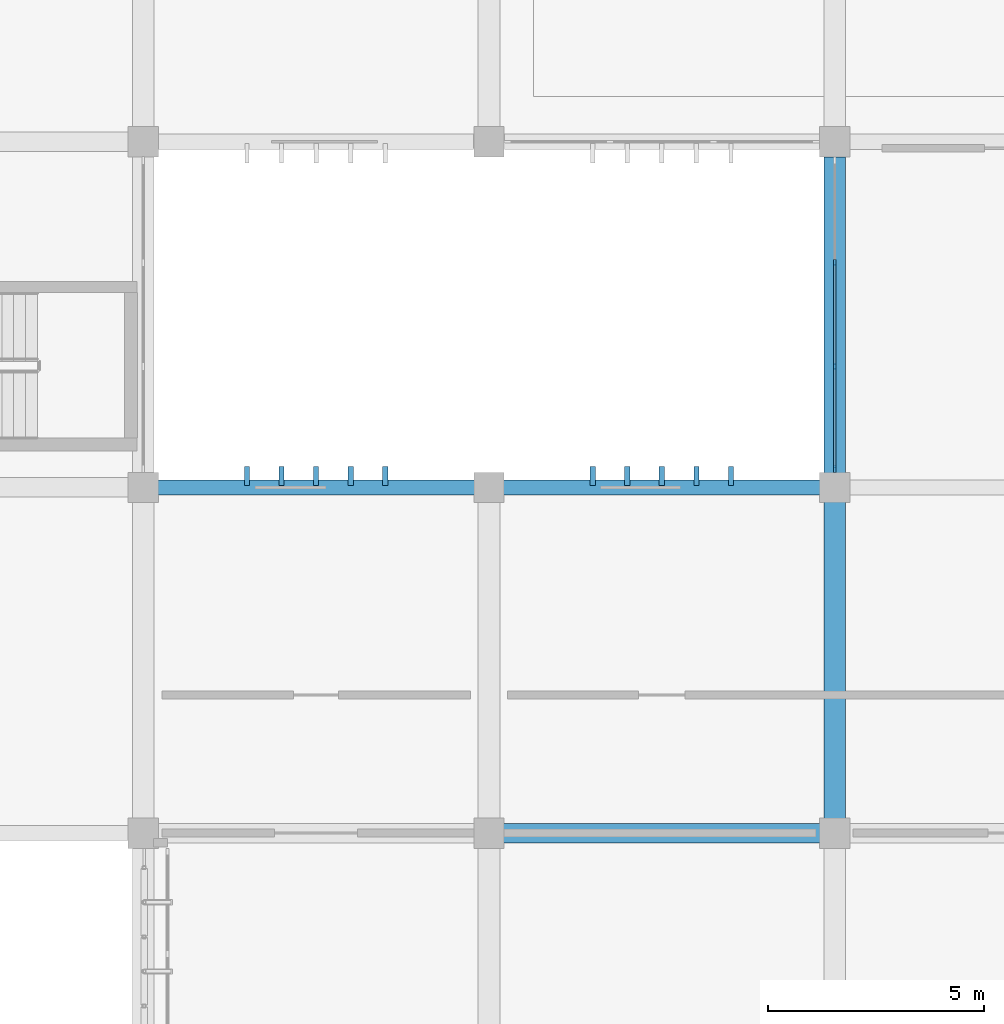
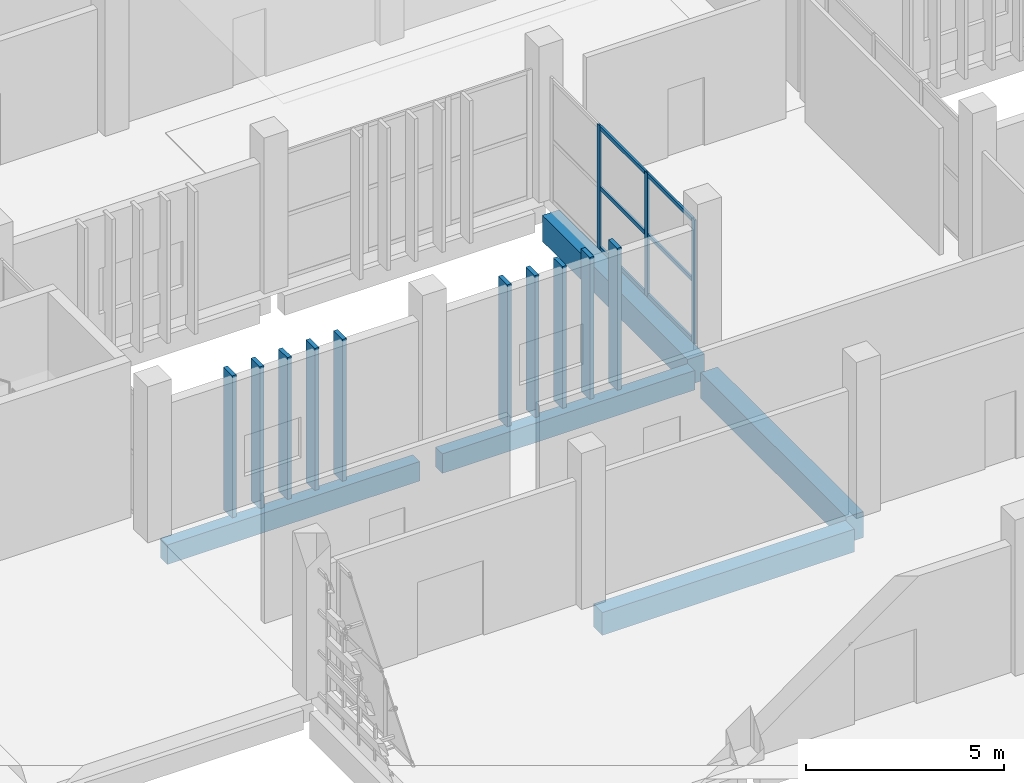
# One storey, part 29 of 117: 19 members, 5 beams, 1 element without a shape of its own.
"""IFC4 building model written with IfcOpenShell, lengths in metres."""

from ifc_helpers import new_model, si_unit, direction, frame, origin, origin_2d, place, context, subcontext, project, spatial, rectangle, extrude, material, layer, layer_set, material_profile, profile_set, type_object, element, aggregate, save


model = new_model("IFC4")

# Units and contexts
model_context = context("Model", 3, precision=1e-05, world=origin(), true_north=direction((0.0, 1.0)))
body_context = subcontext(model_context, "Body", "Model", "MODEL_VIEW")
ifc_project = project(units=[si_unit("LENGTHUNIT", "METRE"), si_unit("AREAUNIT", "SQUARE_METRE"), si_unit("VOLUMEUNIT", "CUBIC_METRE"), si_unit("PLANEANGLEUNIT", "RADIAN"), si_unit("MASSUNIT", "GRAM", prefix="KILO")], contexts=[model_context])

# Site, building, storey
site_placement = place(None, origin())
site = spatial("IfcSite", under=ifc_project, at=site_placement, CompositionType="ELEMENT")
building_placement = place(site_placement, origin())
building = spatial("IfcBuilding", under=site, at=building_placement, Name="Jelvoka-Kovrelna Polytechnic", CompositionType="ELEMENT")
storey_placement = place(building_placement, origin())
storey = spatial("IfcBuildingStorey", under=building, at=storey_placement, Name="L01", CompositionType="ELEMENT", Elevation=0.0)

# Beams
ifc_material_1 = material(Name="Concrete C40/50", Category="concrete")
ifc_material_profile_1 = material_profile(ifc_material_1, rectangle(XDim=0.449951171875, YDim=0.699951171875, at=origin_2d()), Name="RC 450x700")
ifc_profile_set_1 = profile_set([ifc_material_profile_1], Name="Concrete C40/50")
beam_type_1 = type_object("IfcBeamType", Name="Beam_RC_450x700", PredefinedType="BEAM", material=ifc_profile_set_1)
beam_1_placement = place(storey_placement, frame((64.330078125, 16.0, -0.7548828125), z_axis=(1.0, 0.0, 0.0), x_axis=(0.0, 1.0, 0.0)))
element("IfcBeam", 1, at=beam_1_placement, inside=storey, type_object=beam_type_1, Name="L01 beam 0310", PredefinedType="BEAM", context=body_context, shape_type="SweptSolid", body=[
    extrude(rectangle(XDim=0.449951171875, YDim=0.699951171875, at=origin_2d()), origin(), (0.0, 0.0, 1.0), 7.33984375),
])
ifc_material_2 = material(Name="Concrete C40/50", Category="concrete")
ifc_material_profile_2 = material_profile(ifc_material_2, rectangle(XDim=0.5, YDim=0.800048828125, at=origin_2d()), Name="RC 500x800")
ifc_profile_set_2 = profile_set([ifc_material_profile_2], Name="Concrete C40/50")
beam_type_2 = type_object("IfcBeamType", Name="Beam_RC_500x800", PredefinedType="BEAM", material=ifc_profile_set_2)
beam_2_placement = place(storey_placement, frame((72.0, 16.330078125, -0.804931640625), z_axis=(0.0, 1.0, 0.0), x_axis=(-1.0, 0.0, 0.0)))
element("IfcBeam", 2, at=beam_2_placement, inside=storey, type_object=beam_type_2, Name="L01 beam 0327", PredefinedType="BEAM", context=body_context, shape_type="SweptSolid", body=[
    extrude(rectangle(XDim=0.5, YDim=0.800048828125, at=origin_2d()), origin(), (0.0, 0.0, 1.0), 7.33984375),
])
beam_3_placement = place(storey_placement, frame((72.0, 24.330078125, -0.804931640625), z_axis=(0.0, 1.0, 0.0), x_axis=(-1.0, 0.0, 0.0)))
element("IfcBeam", 3, at=beam_3_placement, inside=storey, type_object=beam_type_2, Name="L01 beam 0538", PredefinedType="BEAM", context=body_context, shape_type="SweptSolid", body=[
    extrude(rectangle(XDim=0.5, YDim=0.800048828125, at=origin_2d()), origin(), (0.0, 0.0, 1.0), 7.31494140625),
])

# Members
ifc_material_3 = material(Name="Precast concrete C40/50", Category="concrete")
ifc_material_profile_3 = material_profile(ifc_material_3, rectangle(XDim=0.1201171875, YDim=0.449951171875, at=origin_2d()), Name="PC 120x450")
ifc_profile_set_3 = profile_set([ifc_material_profile_3], Name="Precast concrete C40/50")
member_type_1 = type_object("IfcMemberType", Name="Louvre_Fin_120x450", PredefinedType="USERDEFINED", material=ifc_profile_set_3)
for number, where, z_axis, x_axis, name in (
    (4, (58.39990234375, 24.264892578125, -0.419921875), (0.0, 0.0, 1.0), (1.0, 0.0, 0.0), "L01 B1 north vertical solar louvre fin 0006"),
    (5, (59.199951171875, 24.264892578125, -0.419921875), (0.0, 0.0, 1.0), (1.0, 0.0, 0.0), "L01 B1 north vertical solar louvre fin 0007"),
    (6, (60.0, 24.264892578125, -0.419921875), (0.0, 0.0, 1.0), (1.0, 0.0, 0.0), "L01 B1 north vertical solar louvre fin 0008"),
    (7, (60.800048828125, 24.264892578125, -0.419921875), (0.0, 0.0, 1.0), (1.0, 0.0, 0.0), "L01 B1 north vertical solar louvre fin 0009"),
    (8, (61.60009765625, 24.264892578125, -0.419921875), (0.0, 0.0, 1.0), (1.0, 0.0, 0.0), "L01 B1 north vertical solar louvre fin 0010"),
    (9, (66.39990234375, 24.264892578125, -0.419921875), (0.0, 0.0, 1.0), (1.0, 0.0, 0.0), "L01 B1 north vertical solar louvre fin 0011"),
    (10, (67.199951171875, 24.264892578125, -0.419921875), (0.0, 0.0, 1.0), (1.0, 0.0, 0.0), "L01 B1 north vertical solar louvre fin 0012"),
    (11, (68.0, 24.264892578125, -0.419921875), (0.0, 0.0, 1.0), (1.0, 0.0, 0.0), "L01 B1 north vertical solar louvre fin 0013"),
    (12, (68.800048828125, 24.264892578125, -0.419921875), (0.0, 0.0, 1.0), (1.0, 0.0, 0.0), "L01 B1 north vertical solar louvre fin 0014"),
    (13, (69.60009765625, 24.264892578125, -0.419921875), (0.0, 0.0, 1.0), (1.0, 0.0, 0.0), "L01 B1 north vertical solar louvre fin 0015"),
):
    element("IfcMember", number, at=place(storey_placement, frame(where, z_axis=z_axis, x_axis=x_axis)), inside=storey, type_object=member_type_1, Name=name, ObjectType="SUNSHADE", PredefinedType="USERDEFINED", context=body_context, shape_type="SweptSolid", body=[
        extrude(rectangle(XDim=0.1201171875, YDim=0.449951171875, at=origin_2d()), origin(), (0.0, 0.0, 1.0), 4.3798828125),
    ])

# Curtain wall, members
ifc_material_4 = material(Name="Anodised aluminium 6063-T6", Category="aluminium")
ifc_layer = layer(ifc_material_4, 0.159912109375)
ifc_layer_set = layer_set([ifc_layer], Name="Anodised aluminium 6063-T6")
curtain_wall_type = type_object("IfcCurtainWallType", Name="CW_LinkBridge", PredefinedType="NOTDEFINED", material=ifc_layer_set)
curtain_wall_placement = place(storey_placement, origin())
curtain_wall = element("IfcCurtainWall", 14, at=curtain_wall_placement, inside=storey, type_object=curtain_wall_type, Name="L01 glazed curtain wall 104", PredefinedType="NOTDEFINED")
ifc_material_5 = material(Name="Anodised aluminium 6063-T6", Category="aluminium")
ifc_material_profile_4 = material_profile(ifc_material_5, rectangle(XDim=0.06005859375, YDim=0.159912109375, at=origin_2d()), Name="ALU 60x160")
ifc_profile_set_4 = profile_set([ifc_material_profile_4], Name="Anodised aluminium 6063-T6")
member_type_2 = type_object("IfcMemberType", Name="Mullion_M-04", PredefinedType="MULLION", material=ifc_profile_set_4)
member_1_placement = place(storey_placement, frame((72.0, 24.429931640625, -0.02490234375), z_axis=(0.0, 0.0, 1.0), x_axis=(-1.0, 0.0, 0.0)))
member_1 = element("IfcMember", 15, at=member_1_placement, type_object=member_type_2, Name="CW-04 mullion 1", PredefinedType="MULLION", context=body_context, shape_type="SweptSolid", body=[
    extrude(rectangle(XDim=0.06005859375, YDim=0.159912109375, at=origin_2d()), origin(), (0.0, 0.0, 1.0), 3.81005859375),
])
member_2_placement = place(storey_placement, frame((72.0, 26.800048828125, -0.02490234375), z_axis=(0.0, 0.0, 1.0), x_axis=(-1.0, 0.0, 0.0)))
member_2 = element("IfcMember", 16, at=member_2_placement, type_object=member_type_2, Name="CW-04 mullion 2", PredefinedType="MULLION", context=body_context, shape_type="SweptSolid", body=[
    extrude(rectangle(XDim=0.06005859375, YDim=0.159912109375, at=origin_2d()), origin(), (0.0, 0.0, 1.0), 3.81005859375),
])
member_3_placement = place(storey_placement, frame((72.0, 29.199951171875, -0.02490234375), z_axis=(0.0, 0.0, 1.0), x_axis=(-1.0, 0.0, 0.0)))
member_3 = element("IfcMember", 17, at=member_3_placement, type_object=member_type_2, Name="CW-04 mullion 3", PredefinedType="MULLION", context=body_context, shape_type="SweptSolid", body=[
    extrude(rectangle(XDim=0.06005859375, YDim=0.159912109375, at=origin_2d()), origin(), (0.0, 0.0, 1.0), 3.81005859375),
])

# Beams
ifc_material_6 = material(Name="Concrete C40/50", Category="concrete")
ifc_material_profile_5 = material_profile(ifc_material_6, rectangle(XDim=0.35009765625, YDim=0.60009765625, at=origin_2d()), Name="RC 350x600")
ifc_profile_set_5 = profile_set([ifc_material_profile_5], Name="Concrete C40/50")
beam_type_3 = type_object("IfcBeamType", Name="Spandrel_RC_350x600", PredefinedType="SPANDREL", material=ifc_profile_set_5)
for number, where, z_axis, x_axis, name in (
    (18, (56.330078125, 24.0, -0.705078125), (1.0, 0.0, 0.0), (0.0, 1.0, 0.0), "L01 beam 0315"),
    (19, (64.330078125, 24.0, -0.705078125), (1.0, 0.0, 0.0), (0.0, 1.0, 0.0), "L01 beam 0316"),
):
    element("IfcBeam", number, at=place(storey_placement, frame(where, z_axis=z_axis, x_axis=x_axis)), inside=storey, type_object=beam_type_3, Name=name, PredefinedType="SPANDREL", context=body_context, shape_type="SweptSolid", body=[
        extrude(rectangle(XDim=0.35009765625, YDim=0.60009765625, at=origin_2d()), origin(), (0.0, 0.0, 1.0), 7.33984375),
    ])

# Member
ifc_material_7 = material(Name="Anodised aluminium 6063-T6", Category="aluminium")
ifc_material_profile_6 = material_profile(ifc_material_7, rectangle(XDim=0.06005859375, YDim=0.1201171875, at=origin_2d()), Name="ALU 60x120")
ifc_profile_set_6 = profile_set([ifc_material_profile_6], Name="Anodised aluminium 6063-T6")
member_type_3 = type_object("IfcMemberType", Name="Transom_T-04", PredefinedType="USERDEFINED", material=ifc_profile_set_6)
member_4_placement = place(storey_placement, frame((72.0, 24.4599609375, 0.030029296875), z_axis=(0.0, 1.0, 0.0), x_axis=(-1.0, 0.0, 0.0)))
member_4 = element("IfcMember", 20, at=member_4_placement, type_object=member_type_3, Name="CW-04 transom 1.1", ObjectType="TRANSOM", PredefinedType="USERDEFINED", context=body_context, shape_type="SweptSolid", body=[
    extrude(rectangle(XDim=0.06005859375, YDim=0.1201171875, at=origin_2d()), origin(), (0.0, 0.0, 1.0), 2.31005859375),
])

member_5_placement = place(storey_placement, frame((72.0, 24.4599609375, 1.8798828125), z_axis=(0.0, 1.0, 0.0), x_axis=(-1.0, 0.0, 0.0)))
member_5 = element("IfcMember", 21, at=member_5_placement, type_object=member_type_3, Name="CW-04 transom 1.2", ObjectType="TRANSOM", PredefinedType="USERDEFINED", context=body_context, shape_type="SweptSolid", body=[
    extrude(rectangle(XDim=0.06005859375, YDim=0.1201171875, at=origin_2d()), origin(), (0.0, 0.0, 1.0), 2.31005859375),
])

member_6_placement = place(storey_placement, frame((72.0, 24.4599609375, 3.72998046875), z_axis=(0.0, 1.0, 0.0), x_axis=(-1.0, 0.0, 0.0)))
member_6 = element("IfcMember", 22, at=member_6_placement, type_object=member_type_3, Name="CW-04 transom 1.3", ObjectType="TRANSOM", PredefinedType="USERDEFINED", context=body_context, shape_type="SweptSolid", body=[
    extrude(rectangle(XDim=0.06005859375, YDim=0.1201171875, at=origin_2d()), origin(), (0.0, 0.0, 1.0), 2.31005859375),
])

member_7_placement = place(storey_placement, frame((72.0, 26.830078125, 0.030029296875), z_axis=(0.0, 1.0, 0.0), x_axis=(-1.0, 0.0, 0.0)))
member_7 = element("IfcMember", 23, at=member_7_placement, type_object=member_type_3, Name="CW-04 transom 2.1", ObjectType="TRANSOM", PredefinedType="USERDEFINED", context=body_context, shape_type="SweptSolid", body=[
    extrude(rectangle(XDim=0.06005859375, YDim=0.1201171875, at=origin_2d()), origin(), (0.0, 0.0, 1.0), 2.33984375),
])

member_8_placement = place(storey_placement, frame((72.0, 26.830078125, 1.8798828125), z_axis=(0.0, 1.0, 0.0), x_axis=(-1.0, 0.0, 0.0)))
member_8 = element("IfcMember", 24, at=member_8_placement, type_object=member_type_3, Name="CW-04 transom 2.2", ObjectType="TRANSOM", PredefinedType="USERDEFINED", context=body_context, shape_type="SweptSolid", body=[
    extrude(rectangle(XDim=0.06005859375, YDim=0.1201171875, at=origin_2d()), origin(), (0.0, 0.0, 1.0), 2.33984375),
])

member_9_placement = place(storey_placement, frame((72.0, 26.830078125, 3.72998046875), z_axis=(0.0, 1.0, 0.0), x_axis=(-1.0, 0.0, 0.0)))
member_9 = element("IfcMember", 25, at=member_9_placement, type_object=member_type_3, Name="CW-04 transom 2.3", ObjectType="TRANSOM", PredefinedType="USERDEFINED", context=body_context, shape_type="SweptSolid", body=[
    extrude(rectangle(XDim=0.06005859375, YDim=0.1201171875, at=origin_2d()), origin(), (0.0, 0.0, 1.0), 2.33984375),
])

aggregate(curtain_wall, [member_1, member_2, member_3, member_4, member_5, member_6, member_7, member_8, member_9])

save(model, "model.ifc")
